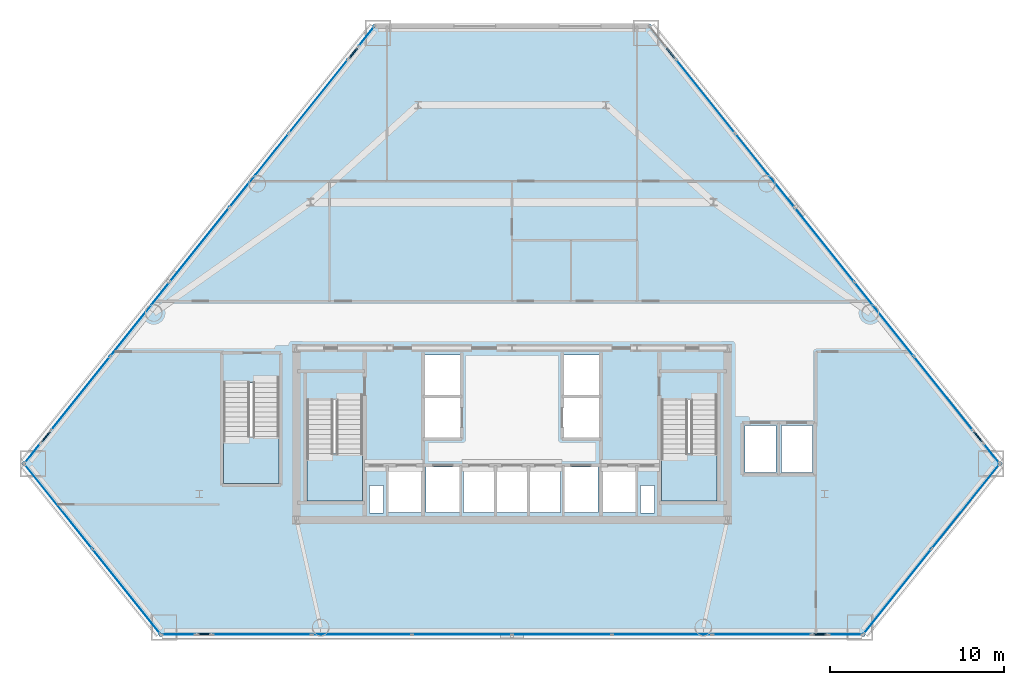
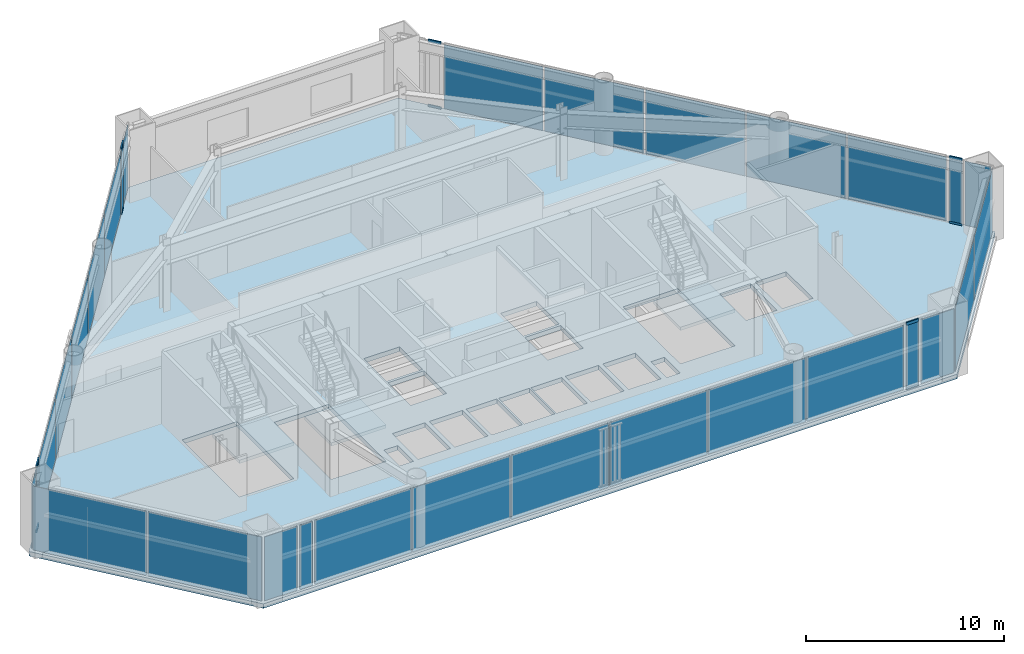
# One storey, part 7 of 13: 30 plates, 10 members, 4 slabs, 19 elements without a shape of their own.
"""IFC4 building model written with IfcOpenShell, lengths in metres."""

from ifc_helpers import new_model, si_unit, direction, frame, origin, origin_2d, place, context, subcontext, project, spatial, polyline, rectangle, outline, extrude, source, transform, mapped, material, layer, layer_set, material_profile, profile_set, type_object, type_shapes, element, aggregate, save


model = new_model("IFC4")

# Units and contexts
model_context = context("Model", 3, precision=1e-05, world=origin(), true_north=direction((0.0, 1.0)))
body_context = subcontext(model_context, "Body", "Model", "MODEL_VIEW")
ifc_project = project(units=[si_unit("LENGTHUNIT", "METRE"), si_unit("AREAUNIT", "SQUARE_METRE"), si_unit("VOLUMEUNIT", "CUBIC_METRE"), si_unit("PLANEANGLEUNIT", "RADIAN"), si_unit("MASSUNIT", "GRAM", prefix="KILO")], contexts=[model_context])

# Site, building, storey
site_placement = place(None, origin())
site = spatial("IfcSite", under=ifc_project, at=site_placement, CompositionType="ELEMENT")
building_placement = place(site_placement, origin())
building = spatial("IfcBuilding", under=site, at=building_placement, Name="Talgorran Terracotta Tower", CompositionType="ELEMENT")
storey_placement = place(building_placement, frame((0.0, 0.0, 14.39990234375)))
storey = spatial("IfcBuildingStorey", under=building, at=storey_placement, Name="L03", CompositionType="ELEMENT", Elevation=14.39990234375)

# Curtain wall, members
ifc_material_1 = material(Name="Terracotta and Low-E Glazing", Category="masonry")
ifc_layer_1 = layer(ifc_material_1, 0.219970703125, Name="CW_SYS1_PODIUM")
ifc_layer_set_1 = layer_set([ifc_layer_1], Name="Terracotta and Low-E Glazing")
curtain_wall_type = type_object("IfcCurtainWallType", Name="CW_SYS1_PODIUM", PredefinedType="NOTDEFINED", material=ifc_layer_set_1)
curtain_wall_1_placement = place(storey_placement, origin())
curtain_wall_1 = element("IfcCurtainWall", 1, at=curtain_wall_1_placement, inside=storey, type_object=curtain_wall_type, Name="CW-L03-F1D", PredefinedType="NOTDEFINED")
ifc_material_2 = material(Name="Architectural Aluminium 6063-T6", Category="aluminium")
ifc_material_profile = material_profile(ifc_material_2, rectangle(XDim=0.074951171875, YDim=0.179931640625, at=origin_2d()), Name="CWT75X180")
ifc_profile_set = profile_set([ifc_material_profile], Name="Architectural Aluminium 6063-T6")
member_type = type_object("IfcMemberType", Name="TRN_75X180", PredefinedType="USERDEFINED", material=ifc_profile_set)
member_1_placement = place(storey_placement, frame((17.363525390625, -20.679931640625, 0.03759765625), z_axis=(1.0, 0.0, 0.0), x_axis=(0.0, 1.0, 0.0)))
member_1 = element("IfcMember", 2, at=member_1_placement, type_object=member_type, Name="CW-L03-1D transom 1.1", ObjectType="TRANSOM", PredefinedType="USERDEFINED", context=body_context, shape_type="SweptSolid", body=[
    extrude(rectangle(XDim=0.074951171875, YDim=0.179931640625, at=origin_2d()), origin(), (0.0, 0.0, 1.0), 0.712890625),
])
member_2_placement = place(storey_placement, frame((17.363525390625, -20.679931640625, 4.0625), z_axis=(1.0, 0.0, 0.0), x_axis=(0.0, 1.0, 0.0)))
member_2 = element("IfcMember", 3, at=member_2_placement, type_object=member_type, Name="CW-L03-1D transom 1.2", ObjectType="TRANSOM", PredefinedType="USERDEFINED", context=body_context, shape_type="SweptSolid", body=[
    extrude(rectangle(XDim=0.074951171875, YDim=0.179931640625, at=origin_2d()), origin(), (0.0, 0.0, 1.0), 0.712890625),
])

curtain_wall_2_placement = place(storey_placement, origin())
curtain_wall_2 = element("IfcCurtainWall", 4, at=curtain_wall_2_placement, inside=storey, type_object=curtain_wall_type, Name="CW-L03-F3B", PredefinedType="NOTDEFINED")
member_3_placement = place(storey_placement, frame((27.056640625, -9.575439453125, 0.03759765625), z_axis=(-0.624993564339, 0.780629902409, 0.0), x_axis=(-0.780629902409, -0.624993564339, 0.0)))
member_3 = element("IfcMember", 5, at=member_3_placement, type_object=member_type, Name="CW-L03-3B transom 1.1", ObjectType="TRANSOM", PredefinedType="USERDEFINED", context=body_context, shape_type="SweptSolid", body=[
    extrude(rectangle(XDim=0.074951171875, YDim=0.179931640625, at=origin_2d()), origin(), (0.0, 0.0, 1.0), 0.697998046875),
])
member_4_placement = place(storey_placement, frame((27.056640625, -9.575439453125, 4.0625), z_axis=(-0.624993564339, 0.780629902409, 0.0), x_axis=(-0.780629902409, -0.624993564339, 0.0)))
member_4 = element("IfcMember", 6, at=member_4_placement, type_object=member_type, Name="CW-L03-3B transom 1.2", ObjectType="TRANSOM", PredefinedType="USERDEFINED", context=body_context, shape_type="SweptSolid", body=[
    extrude(rectangle(XDim=0.074951171875, YDim=0.179931640625, at=origin_2d()), origin(), (0.0, 0.0, 1.0), 0.697998046875),
])

curtain_wall_3_placement = place(storey_placement, origin())
curtain_wall_3 = element("IfcCurtainWall", 7, at=curtain_wall_3_placement, inside=storey, type_object=curtain_wall_type, Name="CW-L03-F3D", PredefinedType="NOTDEFINED")
member_5_placement = place(storey_placement, frame((9.3603515625, 12.5205078125, 0.03759765625), z_axis=(-0.625036034535, 0.780595897717, 0.0), x_axis=(-0.780595897717, -0.625036034535, 0.0)))
member_5 = element("IfcMember", 8, at=member_5_placement, type_object=member_type, Name="CW-L03-3D transom 1.1", ObjectType="TRANSOM", PredefinedType="USERDEFINED", context=body_context, shape_type="SweptSolid", body=[
    extrude(rectangle(XDim=0.074951171875, YDim=0.179931640625, at=origin_2d()), origin(), (0.0, 0.0, 1.0), 0.698486328125),
])
member_6_placement = place(storey_placement, frame((9.3603515625, 12.5205078125, 4.0625), z_axis=(-0.625036034535, 0.780595897717, 0.0), x_axis=(-0.780595897717, -0.625036034535, 0.0)))
member_6 = element("IfcMember", 9, at=member_6_placement, type_object=member_type, Name="CW-L03-3D transom 1.2", ObjectType="TRANSOM", PredefinedType="USERDEFINED", context=body_context, shape_type="SweptSolid", body=[
    extrude(rectangle(XDim=0.074951171875, YDim=0.179931640625, at=origin_2d()), origin(), (0.0, 0.0, 1.0), 0.698486328125),
])
aggregate(curtain_wall_3, [member_5, member_6])

curtain_wall_4_placement = place(storey_placement, origin())
curtain_wall_4 = element("IfcCurtainWall", 10, at=curtain_wall_4_placement, inside=storey, type_object=curtain_wall_type, Name="CW-L03-F5B", PredefinedType="NOTDEFINED")
member_7_placement = place(storey_placement, frame((-8.923828125, 13.065673828125, 0.03759765625), z_axis=(-0.625036034535, -0.780595897717, 0.0), x_axis=(0.780595897717, -0.625036034535, 0.0)))
member_7 = element("IfcMember", 11, at=member_7_placement, type_object=member_type, Name="CW-L03-5B transom 1.1", ObjectType="TRANSOM", PredefinedType="USERDEFINED", context=body_context, shape_type="SweptSolid", body=[
    extrude(rectangle(XDim=0.074951171875, YDim=0.179931640625, at=origin_2d()), origin(), (0.0, 0.0, 1.0), 0.698486328125),
])
member_8_placement = place(storey_placement, frame((-8.923828125, 13.065673828125, 4.0625), z_axis=(-0.625036034535, -0.780595897717, 0.0), x_axis=(0.780595897717, -0.625036034535, 0.0)))
member_8 = element("IfcMember", 12, at=member_8_placement, type_object=member_type, Name="CW-L03-5B transom 1.2", ObjectType="TRANSOM", PredefinedType="USERDEFINED", context=body_context, shape_type="SweptSolid", body=[
    extrude(rectangle(XDim=0.074951171875, YDim=0.179931640625, at=origin_2d()), origin(), (0.0, 0.0, 1.0), 0.698486328125),
])

curtain_wall_5_placement = place(storey_placement, origin())
curtain_wall_5 = element("IfcCurtainWall", 13, at=curtain_wall_5_placement, inside=storey, type_object=curtain_wall_type, Name="CW-L03-F5D", PredefinedType="NOTDEFINED")
member_9_placement = place(storey_placement, frame((-26.620361328125, -9.030517578125, 0.03759765625), z_axis=(-0.624993564339, -0.780629902409, 0.0), x_axis=(0.780629902409, -0.624993564339, 0.0)))
member_9 = element("IfcMember", 14, at=member_9_placement, type_object=member_type, Name="CW-L03-5D transom 1.1", ObjectType="TRANSOM", PredefinedType="USERDEFINED", context=body_context, shape_type="SweptSolid", body=[
    extrude(rectangle(XDim=0.074951171875, YDim=0.179931640625, at=origin_2d()), origin(), (0.0, 0.0, 1.0), 0.697998046875),
])
member_10_placement = place(storey_placement, frame((-26.620361328125, -9.030517578125, 4.0625), z_axis=(-0.624993564339, -0.780629902409, 0.0), x_axis=(0.780629902409, -0.624993564339, 0.0)))
member_10 = element("IfcMember", 15, at=member_10_placement, type_object=member_type, Name="CW-L03-5D transom 1.2", ObjectType="TRANSOM", PredefinedType="USERDEFINED", context=body_context, shape_type="SweptSolid", body=[
    extrude(rectangle(XDim=0.074951171875, YDim=0.179931640625, at=origin_2d()), origin(), (0.0, 0.0, 1.0), 0.697998046875),
])

# Stair, slab
ifc_material_3 = material(Name="Concrete C40/50", Category="concrete")
stair_type_1 = type_object("IfcStairType", Name="ST_FIRE_SCISSOR", PredefinedType="HALF_TURN_STAIR", material=ifc_material_3)
stair_1_placement = place(storey_placement, origin())
stair_1 = element("IfcStair", 16, at=stair_1_placement, inside=storey, type_object=stair_type_1, Name="L03 West Protected Fire Stair ST-01", PredefinedType="HALF_TURN_STAIR")
ifc_layer_2 = layer(ifc_material_3, 0.199951171875, Name="SL_LANDING_200")
ifc_layer_set_2 = layer_set([ifc_layer_2], Name="Concrete C40/50")
slab_type_1 = type_object("IfcSlabType", Name="SL_LANDING_200", PredefinedType="LANDING", material=ifc_layer_set_2)
slab_1_placement = place(storey_placement, frame((0.0, 0.0, 2.050048828125)))
slab_1 = element("IfcSlab", 17, at=slab_1_placement, type_object=slab_type_1, Name="ST-01 landing 1", PredefinedType="LANDING", context=body_context, shape_type="SweptSolid", body=[
    extrude(outline(polyline([(-11.800048828125, -10.280029296875), (-11.800048828125, -13.0), (-8.60009765625, -13.0), (-8.60009765625, -10.280029296875), (-11.800048828125, -10.280029296875)])), origin(), (0.0, 0.0, 1.0), 0.199951171875),
])
aggregate(stair_1, [slab_1])

stair_2_placement = place(storey_placement, origin())
stair_2 = element("IfcStair", 18, at=stair_2_placement, inside=storey, type_object=stair_type_1, Name="L03 East Protected Fire Stair ST-02", PredefinedType="HALF_TURN_STAIR")
slab_2_placement = place(storey_placement, frame((0.0, 0.0, 2.050048828125)))
slab_2 = element("IfcSlab", 19, at=slab_2_placement, type_object=slab_type_1, Name="ST-02 landing 1", PredefinedType="LANDING", context=body_context, shape_type="SweptSolid", body=[
    extrude(outline(polyline([(8.60009765625, -10.280029296875), (8.60009765625, -13.0), (11.800048828125, -13.0), (11.800048828125, -10.280029296875), (8.60009765625, -10.280029296875)])), origin(), (0.0, 0.0, 1.0), 0.199951171875),
])
aggregate(stair_2, [slab_2])

stair_type_2 = type_object("IfcStairType", Name="ST_PODIUM_DOGLEG", PredefinedType="HALF_TURN_STAIR", material=ifc_material_3)
stair_3_placement = place(storey_placement, origin())
stair_3 = element("IfcStair", 20, at=stair_3_placement, inside=storey, type_object=stair_type_2, Name="L03 Podium Health Fire Stair ST-03", PredefinedType="HALF_TURN_STAIR")
slab_3_placement = place(storey_placement, frame((0.0, 0.0, 2.050048828125)))
slab_3 = element("IfcSlab", 21, at=slab_3_placement, type_object=slab_type_1, Name="ST-03 landing 1", PredefinedType="LANDING", context=body_context, shape_type="SweptSolid", body=[
    extrude(outline(polyline([(-16.60009765625, -9.280029296875), (-16.60009765625, -12.0), (-13.39990234375, -12.0), (-13.39990234375, -9.280029296875), (-16.60009765625, -9.280029296875)])), origin(), (0.0, 0.0, 1.0), 0.199951171875),
])
aggregate(stair_3, [slab_3])

# Slab
ifc_material_4 = material(Name="Concrete C50/60", Category="concrete")
ifc_layer_3 = layer(ifc_material_4, 0.280029296875, Name="SL_PODIUM_280")
ifc_layer_set_3 = layer_set([ifc_layer_3], Name="Concrete C50/60")
slab_type_2 = type_object("IfcSlabType", Name="SL_PODIUM_280", PredefinedType="FLOOR", material=ifc_layer_set_3)
slab_4_placement = place(storey_placement, frame((0.0, 0.0, -0.27978515625)))
element("IfcSlab", 22, at=slab_4_placement, inside=storey, type_object=slab_type_2, Name="Storey L03 Structural Floor Slab", PredefinedType="FLOOR", context=body_context, shape_type="SweptSolid", body=[
    extrude(outline(polyline([(-28.236083984375, -10.85595703125), (-20.27197265625, -20.800048828125), (20.27197265625, -20.800048828125), (28.236083984375, -10.85595703125), (7.964111328125, 14.4560546875), (-7.964111328125, 14.4560546875), (-28.236083984375, -10.85595703125)]), holes=[polyline([(-11.800048828125, -7.199951171875), (-11.800048828125, -13.0), (-8.60009765625, -13.0), (-8.60009765625, -7.199951171875), (-11.800048828125, -7.199951171875)]), polyline([(8.60009765625, -7.199951171875), (8.60009765625, -13.0), (11.800048828125, -13.0), (11.800048828125, -7.199951171875), (8.60009765625, -7.199951171875)]), polyline([(-16.60009765625, -6.199951171875), (-16.60009765625, -12.0), (-13.39990234375, -12.0), (-13.39990234375, -6.199951171875), (-16.60009765625, -6.199951171875)]), polyline([(-7.10009765625, -13.64990234375), (-5.199951171875, -13.64990234375), (-5.199951171875, -11.050048828125), (-7.10009765625, -11.050048828125), (-7.10009765625, -13.64990234375)]), polyline([(5.199951171875, -13.64990234375), (7.10009765625, -13.64990234375), (7.10009765625, -11.050048828125), (5.199951171875, -11.050048828125), (5.199951171875, -13.64990234375)]), polyline([(3.0, -13.64990234375), (4.949951171875, -13.64990234375), (4.949951171875, -11.050048828125), (3.0, -11.050048828125), (3.0, -13.64990234375)]), polyline([(-4.949951171875, -13.64990234375), (-3.0, -13.64990234375), (-3.0, -11.050048828125), (-4.949951171875, -11.050048828125), (-4.949951171875, -13.64990234375)]), polyline([(-5.050048828125, -9.35009765625), (-2.949951171875, -9.35009765625), (-2.949951171875, -7.050048828125), (-5.050048828125, -7.050048828125), (-5.050048828125, -9.35009765625)]), polyline([(-5.050048828125, -6.89990234375), (-2.949951171875, -6.89990234375), (-2.949951171875, -4.60009765625), (-5.050048828125, -4.60009765625), (-5.050048828125, -6.89990234375)]), polyline([(2.949951171875, -9.35009765625), (5.050048828125, -9.35009765625), (5.050048828125, -7.050048828125), (2.949951171875, -7.050048828125), (2.949951171875, -9.35009765625)]), polyline([(2.949951171875, -6.89990234375), (5.050048828125, -6.89990234375), (5.050048828125, -4.60009765625), (2.949951171875, -4.60009765625), (2.949951171875, -6.89990234375)]), polyline([(-2.800048828125, -13.64990234375), (-1.0, -13.64990234375), (-1.0, -11.050048828125), (-2.800048828125, -11.050048828125), (-2.800048828125, -13.64990234375)]), polyline([(-0.89990234375, -13.64990234375), (0.89990234375, -13.64990234375), (0.89990234375, -11.050048828125), (-0.89990234375, -11.050048828125), (-0.89990234375, -13.64990234375)]), polyline([(1.0, -13.64990234375), (2.800048828125, -13.64990234375), (2.800048828125, -11.050048828125), (1.0, -11.050048828125), (1.0, -13.64990234375)]), polyline([(13.39990234375, -11.35009765625), (15.199951171875, -11.35009765625), (15.199951171875, -8.64990234375), (13.39990234375, -8.64990234375), (13.39990234375, -11.35009765625)]), polyline([(15.5, -11.35009765625), (17.300048828125, -11.35009765625), (17.300048828125, -8.64990234375), (15.5, -8.64990234375), (15.5, -11.35009765625)]), polyline([(-8.199951171875, -13.699951171875), (-7.39990234375, -13.699951171875), (-7.39990234375, -12.10009765625), (-8.199951171875, -12.10009765625), (-8.199951171875, -13.699951171875)]), polyline([(7.39990234375, -13.699951171875), (8.199951171875, -13.699951171875), (8.199951171875, -12.10009765625), (7.39990234375, -12.10009765625), (7.39990234375, -13.699951171875)])]), origin(), (0.0, 0.0, 1.0), 0.27978515625),
])

# Curtain wall, plates
curtain_wall_6_placement = place(storey_placement, origin())
curtain_wall_6 = element("IfcCurtainWall", 23, at=curtain_wall_6_placement, inside=storey, type_object=curtain_wall_type, Name="CW-L03-F0", PredefinedType="NOTDEFINED")
ifc_material_5 = material(Name="Low-E Laminated Vision Glass", Category="glass")
ifc_layer_4 = layer(ifc_material_5, 0.028076171875, Name="PLT_VISION_28")
ifc_layer_set_4 = layer_set([ifc_layer_4], Name="Low-E Laminated Vision Glass")
plate_type_1 = type_object("IfcPlateType", Name="PLT_VISION_28", PredefinedType="CURTAIN_PANEL", material=ifc_layer_set_4)
shared_shape_1 = source(origin(), body_context, "Body", "SweptSolid", [
    extrude(rectangle(XDim=6.1806640625, YDim=0.028076171875, at=origin_2d()), origin(), (0.0, 0.0, 1.0), 3.949951171875),
])
plate_1_placement = place(storey_placement, frame((-26.103515625, -13.32666015625, 0.0751953125), z_axis=(0.0, 0.0, 1.0), x_axis=(0.625116437056, -0.780531511293, 0.0)))
plate_1 = element("IfcPlate", 24, at=plate_1_placement, type_object=plate_type_1, Name="CW-L03-0 panel 1.1", PredefinedType="CURTAIN_PANEL", context=body_context, shape_type="MappedRepresentation", body=[
    mapped(shared_shape_1, transform((0.0, 0.0, 0.0), scale=1.0)),
])
plate_2_placement = place(storey_placement, frame((-22.193115234375, -18.20947265625, 0.0751953125), z_axis=(0.0, 0.0, 1.0), x_axis=(0.625116437056, -0.780531511293, 0.0)))
plate_2 = element("IfcPlate", 25, at=plate_2_placement, type_object=plate_type_1, Name="CW-L03-0 panel 2.1", PredefinedType="CURTAIN_PANEL", context=body_context, shape_type="MappedRepresentation", body=[
    mapped(shared_shape_1, transform((0.0, 0.0, 0.0), scale=1.0)),
])
aggregate(curtain_wall_6, [plate_1, plate_2])

curtain_wall_7_placement = place(storey_placement, origin())
curtain_wall_7 = element("IfcCurtainWall", 26, at=curtain_wall_7_placement, inside=storey, type_object=curtain_wall_type, Name="CW-L03-F2", PredefinedType="NOTDEFINED")
plate_3_placement = place(storey_placement, frame((22.193115234375, -18.20947265625, 0.0751953125), z_axis=(0.0, 0.0, 1.0), x_axis=(0.625116437056, 0.780531511293, 0.0)))
plate_3 = element("IfcPlate", 27, at=plate_3_placement, type_object=plate_type_1, Name="CW-L03-2 panel 1.1", PredefinedType="CURTAIN_PANEL", context=body_context, shape_type="MappedRepresentation", body=[
    mapped(shared_shape_1, transform((0.0, 0.0, 0.0), scale=1.0)),
])
plate_4_placement = place(storey_placement, frame((26.103515625, -13.32666015625, 0.0751953125), z_axis=(0.0, 0.0, 1.0), x_axis=(0.625116437056, 0.780531511293, 0.0)))
plate_4 = element("IfcPlate", 28, at=plate_4_placement, type_object=plate_type_1, Name="CW-L03-2 panel 2.1", PredefinedType="CURTAIN_PANEL", context=body_context, shape_type="MappedRepresentation", body=[
    mapped(shared_shape_1, transform((0.0, 0.0, 0.0), scale=1.0)),
])
aggregate(curtain_wall_7, [plate_3, plate_4])

# Curtain wall, plate
curtain_wall_8_placement = place(storey_placement, origin())
curtain_wall_8 = element("IfcCurtainWall", 29, at=curtain_wall_8_placement, inside=storey, type_object=curtain_wall_type, Name="CW-L03-F1", PredefinedType="NOTDEFINED")
shared_shape_2 = source(origin(), body_context, "Body", "SweptSolid", [
    extrude(rectangle(XDim=1.903076171875, YDim=0.028076171875, at=origin_2d()), origin(), (0.0, 0.0, 1.0), 3.949951171875),
])
plate_5_placement = place(storey_placement, frame((-19.187744140625, -20.679931640625, 0.0751953125), z_axis=(0.0, 0.0, 1.0), x_axis=(1.0, 0.0, 0.0)))
plate_5 = element("IfcPlate", 30, at=plate_5_placement, type_object=plate_type_1, Name="CW-L03-1 panel 1.1", PredefinedType="CURTAIN_PANEL", context=body_context, shape_type="MappedRepresentation", body=[
    mapped(shared_shape_2, transform((0.0, 0.0, 0.0), scale=1.0)),
])
aggregate(curtain_wall_8, [plate_5])

curtain_wall_9_placement = place(storey_placement, origin())
curtain_wall_9 = element("IfcCurtainWall", 31, at=curtain_wall_9_placement, inside=storey, type_object=curtain_wall_type, Name="CW-L03-F1E", PredefinedType="NOTDEFINED")
plate_6_placement = place(storey_placement, frame((19.187744140625, -20.679931640625, 0.0751953125), z_axis=(0.0, 0.0, 1.0), x_axis=(1.0, 0.0, 0.0)))
plate_6 = element("IfcPlate", 32, at=plate_6_placement, type_object=plate_type_1, Name="CW-L03-1E panel 1.1", PredefinedType="CURTAIN_PANEL", context=body_context, shape_type="MappedRepresentation", body=[
    mapped(shared_shape_2, transform((0.0, 0.0, 0.0), scale=1.0)),
])
aggregate(curtain_wall_9, [plate_6])

curtain_wall_10_placement = place(storey_placement, origin())
curtain_wall_10 = element("IfcCurtainWall", 33, at=curtain_wall_10_placement, inside=storey, type_object=curtain_wall_type, Name="CW-L03-F1B", PredefinedType="NOTDEFINED")
ifc_material_6 = material(Name="Terracotta Insulated Spandrel", Category="masonry")
ifc_layer_5 = layer(ifc_material_6, 0.06494140625, Name="PLT_SPANDREL_TERRA")
ifc_layer_set_5 = layer_set([ifc_layer_5], Name="Terracotta Insulated Spandrel")
plate_type_2 = type_object("IfcPlateType", Name="PLT_SPANDREL_TERRA", PredefinedType="SHEET", material=ifc_layer_set_5)
shared_shape_3 = source(origin(), body_context, "Body", "SweptSolid", [
    extrude(rectangle(XDim=0.712890625, YDim=0.06494140625, at=origin_2d()), origin(), (0.0, 0.0, 1.0), 3.949951171875),
])
plate_7_placement = place(storey_placement, frame((-17.719970703125, -20.679931640625, 0.0751953125), z_axis=(0.0, 0.0, 1.0), x_axis=(1.0, 0.0, 0.0)))
plate_7 = element("IfcPlate", 34, at=plate_7_placement, type_object=plate_type_2, Name="CW-L03-1B panel 1.1", PredefinedType="CURTAIN_PANEL", context=body_context, shape_type="MappedRepresentation", body=[
    mapped(shared_shape_3, transform((0.0, 0.0, 0.0), scale=1.0)),
])
aggregate(curtain_wall_10, [plate_7])

# Plate
plate_8_placement = place(storey_placement, frame((17.719970703125, -20.679931640625, 0.0751953125), z_axis=(0.0, 0.0, 1.0), x_axis=(1.0, 0.0, 0.0)))
plate_8 = element("IfcPlate", 35, at=plate_8_placement, type_object=plate_type_2, Name="CW-L03-1D panel 1.1", PredefinedType="CURTAIN_PANEL", context=body_context, shape_type="MappedRepresentation", body=[
    mapped(shared_shape_3, transform((0.0, 0.0, 0.0), scale=1.0)),
])

aggregate(curtain_wall_1, [member_1, member_2, plate_8])

# Curtain wall, plates
curtain_wall_11_placement = place(storey_placement, origin())
curtain_wall_11 = element("IfcCurtainWall", 36, at=curtain_wall_11_placement, inside=storey, type_object=curtain_wall_type, Name="CW-L03-F1C", PredefinedType="NOTDEFINED")
shared_shape_4 = source(origin(), body_context, "Body", "SweptSolid", [
    extrude(rectangle(XDim=5.64697265625, YDim=0.028076171875, at=origin_2d()), origin(), (0.0, 0.0, 1.0), 3.949951171875),
])
plate_9_placement = place(storey_placement, frame((-14.3798828125, -20.679931640625, 0.0751953125), z_axis=(0.0, 0.0, 1.0), x_axis=(1.0, 0.0, 0.0)))
plate_9 = element("IfcPlate", 37, at=plate_9_placement, type_object=plate_type_1, Name="CW-L03-1C panel 1.1", PredefinedType="CURTAIN_PANEL", context=body_context, shape_type="MappedRepresentation", body=[
    mapped(shared_shape_4, transform((0.0, 0.0, 0.0), scale=1.0)),
])
plate_10_placement = place(storey_placement, frame((14.3798828125, -20.679931640625, 0.0751953125), z_axis=(0.0, 0.0, 1.0), x_axis=(1.0, 0.0, 0.0)))
plate_10 = element("IfcPlate", 38, at=plate_10_placement, type_object=plate_type_1, Name="CW-L03-1C panel 6.1", PredefinedType="CURTAIN_PANEL", context=body_context, shape_type="MappedRepresentation", body=[
    mapped(shared_shape_4, transform((0.0, 0.0, 0.0), scale=1.0)),
])
shared_shape_5 = source(origin(), body_context, "Body", "SweptSolid", [
    extrude(rectangle(XDim=5.6845703125, YDim=0.028076171875, at=origin_2d()), origin(), (0.0, 0.0, 1.0), 3.949951171875),
])
plate_11_placement = place(storey_placement, frame((-8.63916015625, -20.679931640625, 0.0751953125), z_axis=(0.0, 0.0, 1.0), x_axis=(1.0, 0.0, 0.0)))
plate_11 = element("IfcPlate", 39, at=plate_11_placement, type_object=plate_type_1, Name="CW-L03-1C panel 2.1", PredefinedType="CURTAIN_PANEL", context=body_context, shape_type="MappedRepresentation", body=[
    mapped(shared_shape_5, transform((0.0, 0.0, 0.0), scale=1.0)),
])
plate_12_placement = place(storey_placement, frame((-2.879638671875, -20.679931640625, 0.0751953125), z_axis=(0.0, 0.0, 1.0), x_axis=(1.0, 0.0, 0.0)))
plate_12 = element("IfcPlate", 40, at=plate_12_placement, type_object=plate_type_1, Name="CW-L03-1C panel 3.1", PredefinedType="CURTAIN_PANEL", context=body_context, shape_type="MappedRepresentation", body=[
    mapped(shared_shape_5, transform((0.0, 0.0, 0.0), scale=1.0)),
])
plate_13_placement = place(storey_placement, frame((2.879638671875, -20.679931640625, 0.0751953125), z_axis=(0.0, 0.0, 1.0), x_axis=(1.0, 0.0, 0.0)))
plate_13 = element("IfcPlate", 41, at=plate_13_placement, type_object=plate_type_1, Name="CW-L03-1C panel 4.1", PredefinedType="CURTAIN_PANEL", context=body_context, shape_type="MappedRepresentation", body=[
    mapped(shared_shape_5, transform((0.0, 0.0, 0.0), scale=1.0)),
])
plate_14_placement = place(storey_placement, frame((8.63916015625, -20.679931640625, 0.0751953125), z_axis=(0.0, 0.0, 1.0), x_axis=(1.0, 0.0, 0.0)))
plate_14 = element("IfcPlate", 42, at=plate_14_placement, type_object=plate_type_1, Name="CW-L03-1C panel 5.1", PredefinedType="CURTAIN_PANEL", context=body_context, shape_type="MappedRepresentation", body=[
    mapped(shared_shape_5, transform((0.0, 0.0, 0.0), scale=1.0)),
])
aggregate(curtain_wall_11, [plate_9, plate_11, plate_12, plate_13, plate_14, plate_10])

# Curtain wall, plate
curtain_wall_12_placement = place(storey_placement, origin())
curtain_wall_12 = element("IfcCurtainWall", 43, at=curtain_wall_12_placement, inside=storey, type_object=curtain_wall_type, Name="CW-L03-F3", PredefinedType="NOTDEFINED")
shared_shape_6 = source(origin(), body_context, "Body", "SweptSolid", [
    extrude(rectangle(XDim=1.405517578125, YDim=0.028076171875, at=origin_2d()), origin(), (0.0, 0.0, 1.0), 3.949951171875),
])
plate_15_placement = place(storey_placement, frame((27.59619140625, -10.248779296875, 0.0751953125), z_axis=(0.0, 0.0, 1.0), x_axis=(-0.625102620329, 0.780542576711, 0.0)))
plate_15 = element("IfcPlate", 44, at=plate_15_placement, type_object=plate_type_1, Name="CW-L03-3 panel 1.1", PredefinedType="CURTAIN_PANEL", context=body_context, shape_type="MappedRepresentation", body=[
    mapped(shared_shape_6, transform((0.0, 0.0, 0.0), scale=1.0)),
])
aggregate(curtain_wall_12, [plate_15])

curtain_wall_13_placement = place(storey_placement, origin())
curtain_wall_13 = element("IfcCurtainWall", 45, at=curtain_wall_13_placement, inside=storey, type_object=curtain_wall_type, Name="CW-L03-F5E", PredefinedType="NOTDEFINED")
plate_16_placement = place(storey_placement, frame((-27.59619140625, -10.248779296875, 0.0751953125), z_axis=(0.0, 0.0, 1.0), x_axis=(-0.625102620329, -0.780542576711, 0.0)))
plate_16 = element("IfcPlate", 46, at=plate_16_placement, type_object=plate_type_1, Name="CW-L03-5E panel 1.1", PredefinedType="CURTAIN_PANEL", context=body_context, shape_type="MappedRepresentation", body=[
    mapped(shared_shape_6, transform((0.0, 0.0, 0.0), scale=1.0)),
])
aggregate(curtain_wall_13, [plate_16])

# Plate
shared_shape_7 = source(origin(), body_context, "Body", "SweptSolid", [
    extrude(rectangle(XDim=0.6982421875, YDim=0.06494140625, at=origin_2d()), origin(), (0.0, 0.0, 1.0), 3.949951171875),
])
type_shapes(plate_type_2, [shared_shape_3, shared_shape_7])
plate_17_placement = place(storey_placement, frame((26.83837890625, -9.302978515625, 0.0751953125), z_axis=(0.0, 0.0, 1.0), x_axis=(-0.625126307861, 0.780523605806, 0.0)))
plate_17 = element("IfcPlate", 47, at=plate_17_placement, type_object=plate_type_2, Name="CW-L03-3B panel 1.1", PredefinedType="CURTAIN_PANEL", context=body_context, shape_type="MappedRepresentation", body=[
    mapped(shared_shape_7, transform((0.0, 0.0, 0.0), scale=1.0)),
])

aggregate(curtain_wall_2, [member_3, member_4, plate_17])

plate_18_placement = place(storey_placement, frame((-9.14208984375, 12.79296875, 0.0751953125), z_axis=(0.0, 0.0, 1.0), x_axis=(-0.625140606095, -0.780512154045, 0.0)))
plate_18 = element("IfcPlate", 48, at=plate_18_placement, type_object=plate_type_2, Name="CW-L03-5B panel 1.1", PredefinedType="CURTAIN_PANEL", context=body_context, shape_type="MappedRepresentation", body=[
    mapped(shared_shape_7, transform((0.0, 0.0, 0.0), scale=1.0)),
])

aggregate(curtain_wall_4, [member_7, member_8, plate_18])

plate_19_placement = place(storey_placement, frame((-26.83837890625, -9.302978515625, 0.0751953125), z_axis=(0.0, 0.0, 1.0), x_axis=(-0.625126307861, -0.780523605806, 0.0)))
plate_19 = element("IfcPlate", 49, at=plate_19_placement, type_object=plate_type_2, Name="CW-L03-5D panel 1.1", PredefinedType="CURTAIN_PANEL", context=body_context, shape_type="MappedRepresentation", body=[
    mapped(shared_shape_7, transform((0.0, 0.0, 0.0), scale=1.0)),
])

aggregate(curtain_wall_5, [member_9, member_10, plate_19])

# Curtain wall, plates
curtain_wall_14_placement = place(storey_placement, origin())
curtain_wall_14 = element("IfcCurtainWall", 50, at=curtain_wall_14_placement, inside=storey, type_object=curtain_wall_type, Name="CW-L03-F3C", PredefinedType="NOTDEFINED")
shared_shape_8 = source(origin(), body_context, "Body", "SweptSolid", [
    extrude(rectangle(XDim=5.375732421875, YDim=0.028076171875, at=origin_2d()), origin(), (0.0, 0.0, 1.0), 3.949951171875),
])
plate_20_placement = place(storey_placement, frame((24.840087890625, -6.8076171875, 0.0751953125), z_axis=(0.0, 0.0, 1.0), x_axis=(-0.625116706993, 0.780531295105, 0.0)))
plate_20 = element("IfcPlate", 51, at=plate_20_placement, type_object=plate_type_1, Name="CW-L03-3C panel 1.1", PredefinedType="CURTAIN_PANEL", context=body_context, shape_type="MappedRepresentation", body=[
    mapped(shared_shape_8, transform((0.0, 0.0, 0.0), scale=1.0)),
])
plate_21_placement = place(storey_placement, frame((11.140625, 10.297607421875, 0.0751953125), z_axis=(0.0, 0.0, 1.0), x_axis=(-0.625116706993, 0.780531295105, 0.0)))
plate_21 = element("IfcPlate", 52, at=plate_21_placement, type_object=plate_type_1, Name="CW-L03-3C panel 5.1", PredefinedType="CURTAIN_PANEL", context=body_context, shape_type="MappedRepresentation", body=[
    mapped(shared_shape_8, transform((0.0, 0.0, 0.0), scale=1.0)),
])

curtain_wall_15_placement = place(storey_placement, origin())
curtain_wall_15 = element("IfcCurtainWall", 53, at=curtain_wall_15_placement, inside=storey, type_object=curtain_wall_type, Name="CW-L03-F5C", PredefinedType="NOTDEFINED")
plate_22_placement = place(storey_placement, frame((-11.140625, 10.297607421875, 0.0751953125), z_axis=(0.0, 0.0, 1.0), x_axis=(-0.625116706993, -0.780531295105, 0.0)))
plate_22 = element("IfcPlate", 54, at=plate_22_placement, type_object=plate_type_1, Name="CW-L03-5C panel 1.1", PredefinedType="CURTAIN_PANEL", context=body_context, shape_type="MappedRepresentation", body=[
    mapped(shared_shape_8, transform((0.0, 0.0, 0.0), scale=1.0)),
])
plate_23_placement = place(storey_placement, frame((-24.840087890625, -6.8076171875, 0.0751953125), z_axis=(0.0, 0.0, 1.0), x_axis=(-0.625116706993, -0.780531295105, 0.0)))
plate_23 = element("IfcPlate", 55, at=plate_23_placement, type_object=plate_type_1, Name="CW-L03-5C panel 5.1", PredefinedType="CURTAIN_PANEL", context=body_context, shape_type="MappedRepresentation", body=[
    mapped(shared_shape_8, transform((0.0, 0.0, 0.0), scale=1.0)),
])

# Plate
shared_shape_9 = source(origin(), body_context, "Body", "SweptSolid", [
    extrude(rectangle(XDim=5.4130859375, YDim=0.028076171875, at=origin_2d()), origin(), (0.0, 0.0, 1.0), 3.949951171875),
])
plate_24_placement = place(storey_placement, frame((21.421142578125, -2.53857421875, 0.0751953125), z_axis=(0.0, 0.0, 1.0), x_axis=(-0.625116706993, 0.780531295105, 0.0)))
plate_24 = element("IfcPlate", 56, at=plate_24_placement, type_object=plate_type_1, Name="CW-L03-3C panel 2.1", PredefinedType="CURTAIN_PANEL", context=body_context, shape_type="MappedRepresentation", body=[
    mapped(shared_shape_9, transform((0.0, 0.0, 0.0), scale=1.0)),
])

plate_25_placement = place(storey_placement, frame((17.990234375, 1.7451171875, 0.0751953125), z_axis=(0.0, 0.0, 1.0), x_axis=(-0.625116706993, 0.780531295105, 0.0)))
plate_25 = element("IfcPlate", 57, at=plate_25_placement, type_object=plate_type_1, Name="CW-L03-3C panel 3.1", PredefinedType="CURTAIN_PANEL", context=body_context, shape_type="MappedRepresentation", body=[
    mapped(shared_shape_9, transform((0.0, 0.0, 0.0), scale=1.0)),
])

plate_26_placement = place(storey_placement, frame((14.5595703125, 6.028564453125, 0.0751953125), z_axis=(0.0, 0.0, 1.0), x_axis=(-0.625116706993, 0.780531295105, 0.0)))
plate_26 = element("IfcPlate", 58, at=plate_26_placement, type_object=plate_type_1, Name="CW-L03-3C panel 4.1", PredefinedType="CURTAIN_PANEL", context=body_context, shape_type="MappedRepresentation", body=[
    mapped(shared_shape_9, transform((0.0, 0.0, 0.0), scale=1.0)),
])

aggregate(curtain_wall_14, [plate_20, plate_24, plate_25, plate_26, plate_21])

plate_27_placement = place(storey_placement, frame((-14.5595703125, 6.028564453125, 0.0751953125), z_axis=(0.0, 0.0, 1.0), x_axis=(-0.625116706993, -0.780531295105, 0.0)))
plate_27 = element("IfcPlate", 59, at=plate_27_placement, type_object=plate_type_1, Name="CW-L03-5C panel 2.1", PredefinedType="CURTAIN_PANEL", context=body_context, shape_type="MappedRepresentation", body=[
    mapped(shared_shape_9, transform((0.0, 0.0, 0.0), scale=1.0)),
])

plate_28_placement = place(storey_placement, frame((-17.990234375, 1.7451171875, 0.0751953125), z_axis=(0.0, 0.0, 1.0), x_axis=(-0.625116706993, -0.780531295105, 0.0)))
plate_28 = element("IfcPlate", 60, at=plate_28_placement, type_object=plate_type_1, Name="CW-L03-5C panel 3.1", PredefinedType="CURTAIN_PANEL", context=body_context, shape_type="MappedRepresentation", body=[
    mapped(shared_shape_9, transform((0.0, 0.0, 0.0), scale=1.0)),
])

plate_29_placement = place(storey_placement, frame((-21.421142578125, -2.53857421875, 0.0751953125), z_axis=(0.0, 0.0, 1.0), x_axis=(-0.625116706993, -0.780531295105, 0.0)))
plate_29 = element("IfcPlate", 61, at=plate_29_placement, type_object=plate_type_1, Name="CW-L03-5C panel 4.1", PredefinedType="CURTAIN_PANEL", context=body_context, shape_type="MappedRepresentation", body=[
    mapped(shared_shape_9, transform((0.0, 0.0, 0.0), scale=1.0)),
])

aggregate(curtain_wall_15, [plate_22, plate_27, plate_28, plate_29, plate_23])

# Curtain wall, plate
curtain_wall_16_placement = place(storey_placement, origin())
curtain_wall_16 = element("IfcCurtainWall", 62, at=curtain_wall_16_placement, inside=storey, type_object=curtain_wall_type, Name="CW-L03-F5", PredefinedType="NOTDEFINED")
shared_shape_10 = source(origin(), body_context, "Body", "SweptSolid", [
    extrude(rectangle(XDim=1.392822265625, YDim=0.028076171875, at=origin_2d()), origin(), (0.0, 0.0, 1.0), 3.949951171875),
])
type_shapes(plate_type_1, [shared_shape_1, shared_shape_2, shared_shape_4, shared_shape_5, shared_shape_6, shared_shape_8, shared_shape_9, shared_shape_10])
plate_30_placement = place(storey_placement, frame((-8.388671875, 13.73388671875, 0.0751953125), z_axis=(0.0, 0.0, 1.0), x_axis=(-0.62513762994, -0.780514537746, 0.0)))
plate_30 = element("IfcPlate", 63, at=plate_30_placement, type_object=plate_type_1, Name="CW-L03-5 panel 1.1", PredefinedType="CURTAIN_PANEL", context=body_context, shape_type="MappedRepresentation", body=[
    mapped(shared_shape_10, transform((0.0, 0.0, 0.0), scale=1.0)),
])
aggregate(curtain_wall_16, [plate_30])

save(model, "model.ifc")
